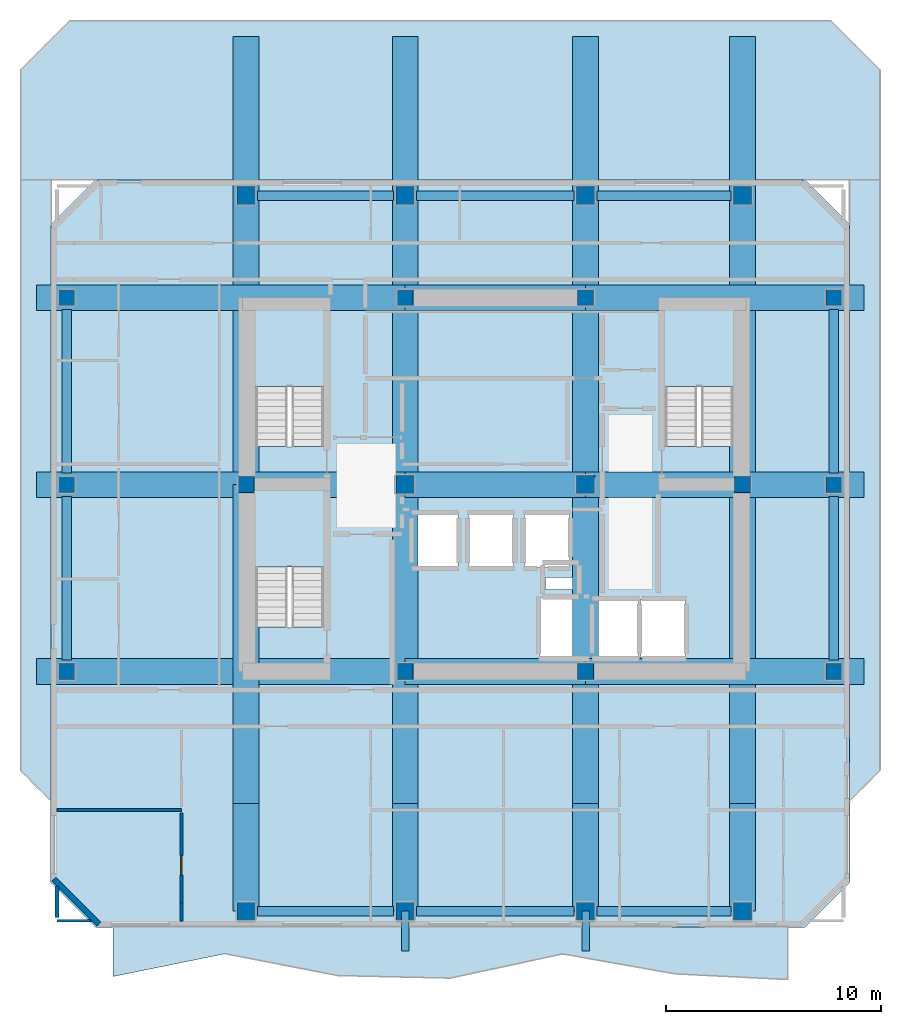
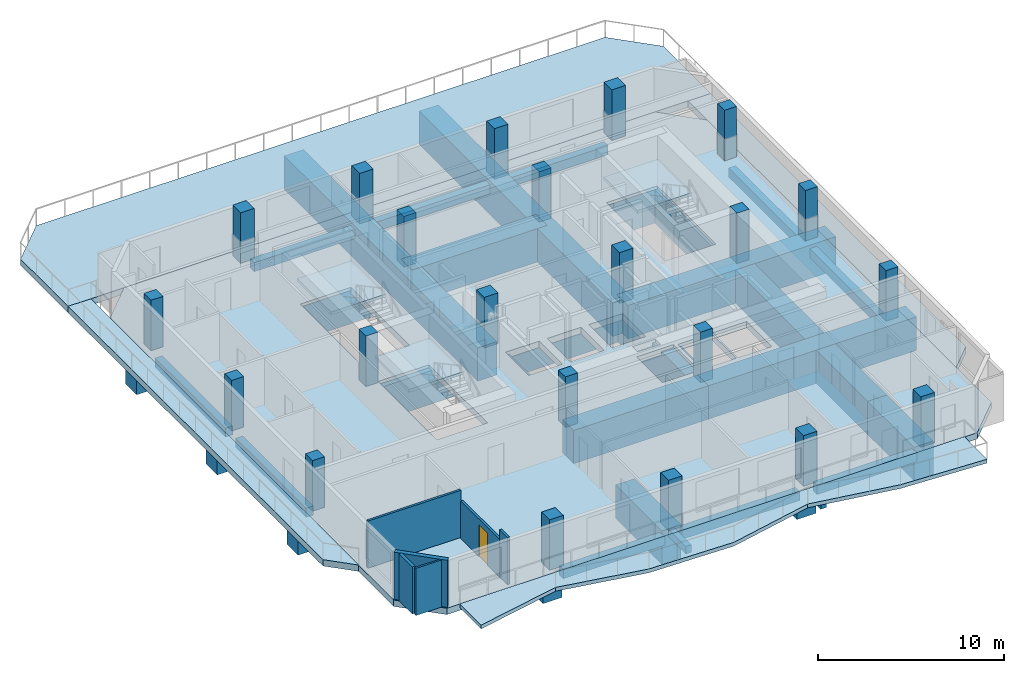
# One storey, part 1 of 10: 33 beams, 22 columns, 8 slabs, 6 walls, 1 door, 1 opening, 3 elements without a shape of their own.
"""IFC4 building model written with IfcOpenShell, lengths in metres."""

from ifc_helpers import new_model, si_unit, direction, frame, frame_2d, origin, origin_2d, place, context, subcontext, project, spatial, polyline, rectangle, outline, extrude, material, layer, layer_set, material_profile, profile_set, type_object, element, fill, aggregate, save


model = new_model("IFC4")

# Units and contexts
model_context = context("Model", 3, precision=1e-05, world=origin(), true_north=direction((0.0, 1.0)))
body_context = subcontext(model_context, "Body", "Model", "MODEL_VIEW")
ifc_project = project(units=[si_unit("LENGTHUNIT", "METRE"), si_unit("AREAUNIT", "SQUARE_METRE"), si_unit("VOLUMEUNIT", "CUBIC_METRE"), si_unit("PLANEANGLEUNIT", "RADIAN"), si_unit("MASSUNIT", "GRAM", prefix="KILO")], contexts=[model_context])

# Site, building, storey
site_placement = place(None, origin())
site = spatial("IfcSite", under=ifc_project, at=site_placement, CompositionType="ELEMENT")
building_placement = place(site_placement, origin())
building = spatial("IfcBuilding", under=site, at=building_placement, Name="Solanera Arch Residences", CompositionType="ELEMENT")
storey_placement = place(building_placement, frame((0.0, 0.0, 190.159912109375)))
storey = spatial("IfcBuildingStorey", under=building, at=storey_placement, Name="L55", CompositionType="ELEMENT", Elevation=190.159912109375)

# Columns
ifc_material_1 = material(Name="Concrete C40/50 (f'c = 45 MPa)", Category="concrete")
ifc_material_profile_1 = material_profile(ifc_material_1, rectangle(XDim=0.75, YDim=0.75, at=origin_2d()))
ifc_profile_set_1 = profile_set([ifc_material_profile_1], Name="Concrete C40/50 (f'c = 45 MPa)")
column_type_1 = type_object("IfcColumnType", Name="Structural Column RC-COL-750X750", PredefinedType="COLUMN", material=ifc_profile_set_1)
for number, where, z_axis, x_axis, name in (
    (1, (20.800048828125, 22.0, 0.0), (0.0, 0.0, 1.0), (1.0, 0.0, 0.0), "COL-L55-CB-SW"),
    (2, (29.199951171875, 22.0, 0.0), (0.0, 0.0, 1.0), (1.0, 0.0, 0.0), "COL-L55-CB-SE"),
    (3, (20.800048828125, 39.39990234375, 0.0), (0.0, 0.0, 1.0), (1.0, 0.0, 0.0), "COL-L55-CB-NW"),
    (4, (29.199951171875, 39.39990234375, 0.0), (0.0, 0.0, 1.0), (1.0, 0.0, 0.0), "COL-L55-CB-NE"),
    (5, (13.39990234375, 30.699951171875, 0.0), (0.0, 0.0, 1.0), (1.0, 0.0, 0.0), "COL-L55-CB-WW"),
    (6, (36.5, 30.699951171875, 0.0), (0.0, 0.0, 1.0), (1.0, 0.0, 0.0), "COL-L55-CB-EE"),
):
    element("IfcColumn", number, at=place(storey_placement, frame(where, z_axis=z_axis, x_axis=x_axis)), inside=storey, type_object=column_type_1, Name=name, PredefinedType="COLUMN", context=body_context, shape_type="SweptSolid", body=[
        extrude(rectangle(XDim=0.75, YDim=0.75, at=origin_2d()), origin(), (0.0, 0.0, 1.0), 3.320068359375),
    ])
for number, where, z_axis, x_axis, name in (
    (7, (5.050048828125, 22.0, -0.199951171875), (0.0, 0.0, 1.0), (1.0, 0.0, 0.0), "COL-L55-TWR-09"),
    (8, (40.75, 22.0, -0.199951171875), (0.0, 0.0, 1.0), (1.0, 0.0, 0.0), "COL-L55-TWR-10"),
    (9, (5.050048828125, 30.699951171875, -0.199951171875), (0.0, 0.0, 1.0), (1.0, 0.0, 0.0), "COL-L55-TWR-11"),
    (10, (40.75, 30.699951171875, -0.199951171875), (0.0, 0.0, 1.0), (1.0, 0.0, 0.0), "COL-L55-TWR-12"),
    (11, (5.050048828125, 39.39990234375, -0.199951171875), (0.0, 0.0, 1.0), (1.0, 0.0, 0.0), "COL-L55-TWR-13"),
    (12, (40.75, 39.39990234375, -0.199951171875), (0.0, 0.0, 1.0), (1.0, 0.0, 0.0), "COL-L55-TWR-14"),
):
    element("IfcColumn", number, at=place(storey_placement, frame(where, z_axis=z_axis, x_axis=x_axis)), inside=storey, type_object=column_type_1, Name=name, PredefinedType="COLUMN", context=body_context, shape_type="SweptSolid", body=[
        extrude(rectangle(XDim=0.75, YDim=0.75, at=origin_2d()), origin(), (0.0, 0.0, 1.0), 3.52001953125),
    ])
ifc_material_2 = material(Name="Concrete C40/50 (f'c = 45 MPa)", Category="concrete")
ifc_material_profile_2 = material_profile(ifc_material_2, rectangle(XDim=0.85009765625, YDim=0.85009765625, at=origin_2d()))
ifc_profile_set_2 = profile_set([ifc_material_profile_2], Name="Concrete C40/50 (f'c = 45 MPa)")
column_type_2 = type_object("IfcColumnType", Name="Structural Column RC-COL-850X850", PredefinedType="COLUMN", material=ifc_profile_set_2)
for number, where, z_axis, x_axis, name in (
    (13, (20.800048828125, 30.699951171875, 0.0), (0.0, 0.0, 1.0), (1.0, 0.0, 0.0), "COL-L55-CORE-W"),
    (14, (29.199951171875, 30.699951171875, 0.0), (0.0, 0.0, 1.0), (1.0, 0.0, 0.0), "COL-L55-CORE-E"),
):
    element("IfcColumn", number, at=place(storey_placement, frame(where, z_axis=z_axis, x_axis=x_axis)), inside=storey, type_object=column_type_2, Name=name, PredefinedType="COLUMN", context=body_context, shape_type="SweptSolid", body=[
        extrude(rectangle(XDim=0.85009765625, YDim=0.85009765625, at=origin_2d()), origin(), (0.0, 0.0, 1.0), 3.320068359375),
    ])
for number, where, z_axis, x_axis, name in (
    (15, (13.39990234375, 10.85009765625, -0.199951171875), (0.0, 0.0, 1.0), (1.0, 0.0, 0.0), "COL-L55-TWR-01"),
    (16, (13.39990234375, 44.14990234375, -0.199951171875), (0.0, 0.0, 1.0), (1.0, 0.0, 0.0), "COL-L55-TWR-02"),
    (17, (20.800048828125, 10.85009765625, -0.199951171875), (0.0, 0.0, 1.0), (1.0, 0.0, 0.0), "COL-L55-TWR-03"),
    (18, (20.800048828125, 44.14990234375, -0.199951171875), (0.0, 0.0, 1.0), (1.0, 0.0, 0.0), "COL-L55-TWR-04"),
    (19, (29.199951171875, 10.85009765625, -0.199951171875), (0.0, 0.0, 1.0), (1.0, 0.0, 0.0), "COL-L55-TWR-05"),
    (20, (29.199951171875, 44.14990234375, -0.199951171875), (0.0, 0.0, 1.0), (1.0, 0.0, 0.0), "COL-L55-TWR-06"),
    (21, (36.5, 10.85009765625, -0.199951171875), (0.0, 0.0, 1.0), (1.0, 0.0, 0.0), "COL-L55-TWR-07"),
    (22, (36.5, 44.14990234375, -0.199951171875), (0.0, 0.0, 1.0), (1.0, 0.0, 0.0), "COL-L55-TWR-08"),
):
    element("IfcColumn", number, at=place(storey_placement, frame(where, z_axis=z_axis, x_axis=x_axis)), inside=storey, type_object=column_type_2, Name=name, PredefinedType="COLUMN", context=body_context, shape_type="SweptSolid", body=[
        extrude(rectangle(XDim=0.85009765625, YDim=0.85009765625, at=origin_2d()), origin(), (0.0, 0.0, 1.0), 3.52001953125),
    ])

# Beams
ifc_material_3 = material(Name="Concrete C40/50 (f'c = 45 MPa)", Category="concrete")
ifc_material_profile_3 = material_profile(ifc_material_3, rectangle(XDim=0.35009765625, YDim=0.5, at=origin_2d()))
ifc_profile_set_3 = profile_set([ifc_material_profile_3], Name="Concrete C40/50 (f'c = 45 MPa)")
beam_type_1 = type_object("IfcBeamType", Name="BM-BALC-RIB", PredefinedType="BEAM", material=ifc_profile_set_3)
for number, where, z_axis, x_axis, name in (
    (23, (20.800048828125, 9.0, -0.5), (0.0, 1.0, 0.0), (-1.0, 0.0, 0.0), "BM-L55-BRIB-S1"),
    (24, (29.199951171875, 9.0, -0.5), (0.0, 1.0, 0.0), (-1.0, 0.0, 0.0), "BM-L55-BRIB-S2"),
):
    element("IfcBeam", number, at=place(storey_placement, frame(where, z_axis=z_axis, x_axis=x_axis)), inside=storey, type_object=beam_type_1, Name=name, PredefinedType="BEAM", context=body_context, shape_type="SweptSolid", body=[
        extrude(rectangle(XDim=0.35009765625, YDim=0.5, at=origin_2d()), origin(), (0.0, 0.0, 1.0), 1.85009765625),
    ])
ifc_material_4 = material(Name="Concrete C55/67 (f'c = 60 MPa)", Category="concrete")
ifc_material_profile_4 = material_profile(ifc_material_4, rectangle(XDim=1.199951171875, YDim=2.199951171875, at=origin_2d()))
ifc_profile_set_4 = profile_set([ifc_material_profile_4], Name="Concrete C55/67 (f'c = 60 MPa)")
beam_type_2 = type_object("IfcBeamType", Name="BM-CANT-BLOCK", PredefinedType="BEAM", material=ifc_profile_set_4)
for number, where, z_axis, x_axis, name in (
    (25, (13.39990234375, 10.85009765625, -1.2998046875), (0.0, 1.0, 0.0), (-1.0, 0.0, 0.0), "BM-L55-CANT-NS-S-134"),
    (26, (20.800048828125, 10.85009765625, -1.2998046875), (0.0, 1.0, 0.0), (-1.0, 0.0, 0.0), "BM-L55-CANT-NS-S-208"),
    (27, (29.199951171875, 10.85009765625, -1.2998046875), (0.0, 1.0, 0.0), (-1.0, 0.0, 0.0), "BM-L55-CANT-NS-S-292"),
    (28, (36.5, 10.85009765625, -1.2998046875), (0.0, 1.0, 0.0), (-1.0, 0.0, 0.0), "BM-L55-CANT-NS-S-365"),
):
    element("IfcBeam", number, at=place(storey_placement, frame(where, z_axis=z_axis, x_axis=x_axis)), inside=storey, type_object=beam_type_2, Name=name, PredefinedType="BEAM", context=body_context, shape_type="SweptSolid", body=[
        extrude(rectangle(XDim=1.199951171875, YDim=2.199951171875, at=origin_2d()), origin(), (0.0, 0.0, 1.0), 5.0),
    ])
ifc_material_5 = material(Name="Concrete C40/50 (f'c = 45 MPa)", Category="concrete")
ifc_material_profile_5 = material_profile(ifc_material_5, rectangle(XDim=0.449951171875, YDim=0.60009765625, at=origin_2d()))
ifc_profile_set_5 = profile_set([ifc_material_profile_5], Name="Concrete C40/50 (f'c = 45 MPa)")
beam_type_3 = type_object("IfcBeamType", Name="Spandrel Beam RC-BM-450X600", PredefinedType="SPANDREL", material=ifc_profile_set_5)
for number, where, z_axis, x_axis, name in (
    (29, (13.93994140625, 10.85009765625, -0.719970703125), (1.0, 0.0, 0.0), (0.0, 1.0, 0.0), "BM-L55-XRING-S-1"),
    (30, (13.93994140625, 44.14990234375, -0.719970703125), (1.0, 0.0, 0.0), (0.0, 1.0, 0.0), "BM-L55-XRING-N-1"),
):
    element("IfcBeam", number, at=place(storey_placement, frame(where, z_axis=z_axis, x_axis=x_axis)), inside=storey, type_object=beam_type_3, Name=name, PredefinedType="SPANDREL", context=body_context, shape_type="SweptSolid", body=[
        extrude(rectangle(XDim=0.449951171875, YDim=0.60009765625, at=origin_2d()), origin(), (0.0, 0.0, 1.0), 6.320068359375),
    ])
for number, where, z_axis, x_axis, name in (
    (31, (21.340087890625, 10.85009765625, -0.719970703125), (1.0, 0.0, 0.0), (0.0, 1.0, 0.0), "BM-L55-XRING-S-2"),
    (32, (21.340087890625, 44.14990234375, -0.719970703125), (1.0, 0.0, 0.0), (0.0, 1.0, 0.0), "BM-L55-XRING-N-2"),
):
    element("IfcBeam", number, at=place(storey_placement, frame(where, z_axis=z_axis, x_axis=x_axis)), inside=storey, type_object=beam_type_3, Name=name, PredefinedType="SPANDREL", context=body_context, shape_type="SweptSolid", body=[
        extrude(rectangle(XDim=0.449951171875, YDim=0.60009765625, at=origin_2d()), origin(), (0.0, 0.0, 1.0), 7.31982421875),
    ])
for number, where, z_axis, x_axis, name in (
    (33, (29.739990234375, 10.85009765625, -0.719970703125), (1.0, 0.0, 0.0), (0.0, 1.0, 0.0), "BM-L55-XRING-S-3"),
    (34, (29.739990234375, 44.14990234375, -0.719970703125), (1.0, 0.0, 0.0), (0.0, 1.0, 0.0), "BM-L55-XRING-N-3"),
):
    element("IfcBeam", number, at=place(storey_placement, frame(where, z_axis=z_axis, x_axis=x_axis)), inside=storey, type_object=beam_type_3, Name=name, PredefinedType="SPANDREL", context=body_context, shape_type="SweptSolid", body=[
        extrude(rectangle(XDim=0.449951171875, YDim=0.60009765625, at=origin_2d()), origin(), (0.0, 0.0, 1.0), 6.219970703125),
    ])
for number, where, z_axis, x_axis, name in (
    (35, (5.050048828125, 22.5400390625, -0.719970703125), (0.0, 1.0, 0.0), (-1.0, 0.0, 0.0), "BM-L55-XRING-W-1"),
    (36, (40.75, 22.5400390625, -0.719970703125), (0.0, 1.0, 0.0), (-1.0, 0.0, 0.0), "BM-L55-XRING-E-1"),
):
    element("IfcBeam", number, at=place(storey_placement, frame(where, z_axis=z_axis, x_axis=x_axis)), inside=storey, type_object=beam_type_3, Name=name, PredefinedType="SPANDREL", context=body_context, shape_type="SweptSolid", body=[
        extrude(rectangle(XDim=0.449951171875, YDim=0.60009765625, at=origin_2d()), origin(), (0.0, 0.0, 1.0), 7.619873046875),
    ])
for number, where, z_axis, x_axis, name in (
    (37, (5.050048828125, 31.239990234375, -0.719970703125), (0.0, 1.0, 0.0), (-1.0, 0.0, 0.0), "BM-L55-XRING-W-2"),
    (38, (40.75, 31.239990234375, -0.719970703125), (0.0, 1.0, 0.0), (-1.0, 0.0, 0.0), "BM-L55-XRING-E-2"),
):
    element("IfcBeam", number, at=place(storey_placement, frame(where, z_axis=z_axis, x_axis=x_axis)), inside=storey, type_object=beam_type_3, Name=name, PredefinedType="SPANDREL", context=body_context, shape_type="SweptSolid", body=[
        extrude(rectangle(XDim=0.449951171875, YDim=0.60009765625, at=origin_2d()), origin(), (0.0, 0.0, 1.0), 7.6201171875),
    ])
ifc_material_6 = material(Name="Concrete C55/67 (f'c = 60 MPa)", Category="concrete")
ifc_material_profile_6 = material_profile(ifc_material_6, rectangle(XDim=1.199951171875, YDim=2.199951171875, at=origin_2d()))
ifc_profile_set_6 = profile_set([ifc_material_profile_6], Name="Concrete C55/67 (f'c = 60 MPa)")
beam_type_4 = type_object("IfcBeamType", Name="Transfer Girder RC-BM-1200X2200", PredefinedType="BEAM", material=ifc_profile_set_6)
beam_1_placement = place(storey_placement, frame((13.39990234375, 15.85009765625, -1.2998046875), z_axis=(0.0, 1.0, 0.0), x_axis=(-1.0, 0.0, 0.0)))
element("IfcBeam", 39, at=beam_1_placement, inside=storey, type_object=beam_type_4, Name="BM-L55-XFER-NS-S-134", PredefinedType="BEAM", context=body_context, shape_type="SweptSolid", body=[
    extrude(rectangle(XDim=1.199951171875, YDim=2.199951171875, at=origin_2d()), origin(), (0.0, 0.0, 1.0), 14.849853515625),
])
beam_2_placement = place(storey_placement, frame((13.39990234375, 30.699951171875, -1.2998046875), z_axis=(0.0, 1.0, 0.0), x_axis=(-1.0, 0.0, 0.0)))
element("IfcBeam", 40, at=beam_2_placement, inside=storey, type_object=beam_type_4, Name="BM-L55-XFER-NS-N-134", PredefinedType="BEAM", context=body_context, shape_type="SweptSolid", body=[
    extrude(rectangle(XDim=1.199951171875, YDim=2.199951171875, at=origin_2d()), origin(), (0.0, 0.0, 1.0), 20.85009765625),
])
beam_3_placement = place(storey_placement, frame((20.800048828125, 15.85009765625, -1.2998046875), z_axis=(0.0, 1.0, 0.0), x_axis=(-1.0, 0.0, 0.0)))
element("IfcBeam", 41, at=beam_3_placement, inside=storey, type_object=beam_type_4, Name="BM-L55-XFER-NS-S-208", PredefinedType="BEAM", context=body_context, shape_type="SweptSolid", body=[
    extrude(rectangle(XDim=1.199951171875, YDim=2.199951171875, at=origin_2d()), origin(), (0.0, 0.0, 1.0), 14.849853515625),
])
beam_4_placement = place(storey_placement, frame((20.800048828125, 30.699951171875, -1.2998046875), z_axis=(0.0, 1.0, 0.0), x_axis=(-1.0, 0.0, 0.0)))
element("IfcBeam", 42, at=beam_4_placement, inside=storey, type_object=beam_type_4, Name="BM-L55-XFER-NS-N-208", PredefinedType="BEAM", context=body_context, shape_type="SweptSolid", body=[
    extrude(rectangle(XDim=1.199951171875, YDim=2.199951171875, at=origin_2d()), origin(), (0.0, 0.0, 1.0), 20.85009765625),
])
beam_5_placement = place(storey_placement, frame((29.199951171875, 15.85009765625, -1.2998046875), z_axis=(0.0, 1.0, 0.0), x_axis=(-1.0, 0.0, 0.0)))
element("IfcBeam", 43, at=beam_5_placement, inside=storey, type_object=beam_type_4, Name="BM-L55-XFER-NS-S-292", PredefinedType="BEAM", context=body_context, shape_type="SweptSolid", body=[
    extrude(rectangle(XDim=1.199951171875, YDim=2.199951171875, at=origin_2d()), origin(), (0.0, 0.0, 1.0), 14.849853515625),
])
beam_6_placement = place(storey_placement, frame((29.199951171875, 30.699951171875, -1.2998046875), z_axis=(0.0, 1.0, 0.0), x_axis=(-1.0, 0.0, 0.0)))
element("IfcBeam", 44, at=beam_6_placement, inside=storey, type_object=beam_type_4, Name="BM-L55-XFER-NS-N-292", PredefinedType="BEAM", context=body_context, shape_type="SweptSolid", body=[
    extrude(rectangle(XDim=1.199951171875, YDim=2.199951171875, at=origin_2d()), origin(), (0.0, 0.0, 1.0), 20.85009765625),
])
beam_7_placement = place(storey_placement, frame((36.5, 15.85009765625, -1.2998046875), z_axis=(0.0, 1.0, 0.0), x_axis=(-1.0, 0.0, 0.0)))
element("IfcBeam", 45, at=beam_7_placement, inside=storey, type_object=beam_type_4, Name="BM-L55-XFER-NS-S-365", PredefinedType="BEAM", context=body_context, shape_type="SweptSolid", body=[
    extrude(rectangle(XDim=1.199951171875, YDim=2.199951171875, at=origin_2d()), origin(), (0.0, 0.0, 1.0), 14.849853515625),
])
beam_8_placement = place(storey_placement, frame((36.5, 30.699951171875, -1.2998046875), z_axis=(0.0, 1.0, 0.0), x_axis=(-1.0, 0.0, 0.0)))
element("IfcBeam", 46, at=beam_8_placement, inside=storey, type_object=beam_type_4, Name="BM-L55-XFER-NS-N-365", PredefinedType="BEAM", context=body_context, shape_type="SweptSolid", body=[
    extrude(rectangle(XDim=1.199951171875, YDim=2.199951171875, at=origin_2d()), origin(), (0.0, 0.0, 1.0), 20.85009765625),
])
beam_9_placement = place(storey_placement, frame((3.64990234375, 22.0, -1.2998046875), z_axis=(1.0, 0.0, 0.0), x_axis=(0.0, 1.0, 0.0)))
element("IfcBeam", 47, at=beam_9_placement, inside=storey, type_object=beam_type_4, Name="BM-L55-XFER-EW-W-220", PredefinedType="BEAM", context=body_context, shape_type="SweptSolid", body=[
    extrude(rectangle(XDim=1.199951171875, YDim=2.199951171875, at=origin_2d()), origin(), (0.0, 0.0, 1.0), 17.150146484375),
])
beam_10_placement = place(storey_placement, frame((20.800048828125, 22.0, -1.2998046875), z_axis=(1.0, 0.0, 0.0), x_axis=(0.0, 1.0, 0.0)))
element("IfcBeam", 48, at=beam_10_placement, inside=storey, type_object=beam_type_4, Name="BM-L55-XFER-EW-C-220", PredefinedType="BEAM", context=body_context, shape_type="SweptSolid", body=[
    extrude(rectangle(XDim=1.199951171875, YDim=2.199951171875, at=origin_2d()), origin(), (0.0, 0.0, 1.0), 8.39990234375),
])
beam_11_placement = place(storey_placement, frame((29.199951171875, 22.0, -1.2998046875), z_axis=(1.0, 0.0, 0.0), x_axis=(0.0, 1.0, 0.0)))
element("IfcBeam", 49, at=beam_11_placement, inside=storey, type_object=beam_type_4, Name="BM-L55-XFER-EW-E-220", PredefinedType="BEAM", context=body_context, shape_type="SweptSolid", body=[
    extrude(rectangle(XDim=1.199951171875, YDim=2.199951171875, at=origin_2d()), origin(), (0.0, 0.0, 1.0), 12.949951171875),
])
beam_12_placement = place(storey_placement, frame((3.64990234375, 30.699951171875, -1.2998046875), z_axis=(1.0, 0.0, 0.0), x_axis=(0.0, 1.0, 0.0)))
element("IfcBeam", 50, at=beam_12_placement, inside=storey, type_object=beam_type_4, Name="BM-L55-XFER-EW-W-307", PredefinedType="BEAM", context=body_context, shape_type="SweptSolid", body=[
    extrude(rectangle(XDim=1.199951171875, YDim=2.199951171875, at=origin_2d()), origin(), (0.0, 0.0, 1.0), 17.150146484375),
])
beam_13_placement = place(storey_placement, frame((20.800048828125, 30.699951171875, -1.2998046875), z_axis=(1.0, 0.0, 0.0), x_axis=(0.0, 1.0, 0.0)))
element("IfcBeam", 51, at=beam_13_placement, inside=storey, type_object=beam_type_4, Name="BM-L55-XFER-EW-C-307", PredefinedType="BEAM", context=body_context, shape_type="SweptSolid", body=[
    extrude(rectangle(XDim=1.199951171875, YDim=2.199951171875, at=origin_2d()), origin(), (0.0, 0.0, 1.0), 8.39990234375),
])
beam_14_placement = place(storey_placement, frame((29.199951171875, 30.699951171875, -1.2998046875), z_axis=(1.0, 0.0, 0.0), x_axis=(0.0, 1.0, 0.0)))
element("IfcBeam", 52, at=beam_14_placement, inside=storey, type_object=beam_type_4, Name="BM-L55-XFER-EW-E-307", PredefinedType="BEAM", context=body_context, shape_type="SweptSolid", body=[
    extrude(rectangle(XDim=1.199951171875, YDim=2.199951171875, at=origin_2d()), origin(), (0.0, 0.0, 1.0), 12.949951171875),
])
beam_15_placement = place(storey_placement, frame((3.64990234375, 39.39990234375, -1.2998046875), z_axis=(1.0, 0.0, 0.0), x_axis=(0.0, 1.0, 0.0)))
element("IfcBeam", 53, at=beam_15_placement, inside=storey, type_object=beam_type_4, Name="BM-L55-XFER-EW-W-394", PredefinedType="BEAM", context=body_context, shape_type="SweptSolid", body=[
    extrude(rectangle(XDim=1.199951171875, YDim=2.199951171875, at=origin_2d()), origin(), (0.0, 0.0, 1.0), 17.150146484375),
])
beam_16_placement = place(storey_placement, frame((20.800048828125, 39.39990234375, -1.2998046875), z_axis=(1.0, 0.0, 0.0), x_axis=(0.0, 1.0, 0.0)))
element("IfcBeam", 54, at=beam_16_placement, inside=storey, type_object=beam_type_4, Name="BM-L55-XFER-EW-C-394", PredefinedType="BEAM", context=body_context, shape_type="SweptSolid", body=[
    extrude(rectangle(XDim=1.199951171875, YDim=2.199951171875, at=origin_2d()), origin(), (0.0, 0.0, 1.0), 8.39990234375),
])
beam_17_placement = place(storey_placement, frame((29.199951171875, 39.39990234375, -1.2998046875), z_axis=(1.0, 0.0, 0.0), x_axis=(0.0, 1.0, 0.0)))
element("IfcBeam", 55, at=beam_17_placement, inside=storey, type_object=beam_type_4, Name="BM-L55-XFER-EW-E-394", PredefinedType="BEAM", context=body_context, shape_type="SweptSolid", body=[
    extrude(rectangle(XDim=1.199951171875, YDim=2.199951171875, at=origin_2d()), origin(), (0.0, 0.0, 1.0), 12.949951171875),
])

# Slab
ifc_material_7 = material(Name="Concrete C40/50 (f'c = 45 MPa)", Category="concrete")
ifc_layer_1 = layer(ifc_material_7, 0.25)
ifc_layer_set_1 = layer_set([ifc_layer_1], Name="Concrete C40/50 (f'c = 45 MPa)")
slab_type_1 = type_object("IfcSlabType", Name="Balcony Slab 250", PredefinedType="FLOOR", material=ifc_layer_set_1)
slab_1_placement = place(storey_placement, frame((0.0, 0.0, -0.25)))
element("IfcSlab", 56, at=slab_1_placement, inside=storey, type_object=slab_type_1, Name="L55 S Rippling Brise-Soleil Balcony Slab", PredefinedType="FLOOR", context=body_context, shape_type="SweptSolid", body=[
    extrude(outline(polyline([(7.199951171875, 7.804931640625), (12.43310546875, 8.868896484375), (17.6669921875, 7.85400390625), (22.89990234375, 7.735107421875), (28.133056640625, 8.861083984375), (33.366943359375, 7.931884765625), (38.60009765625, 7.6708984375), (38.60009765625, 10.1201171875), (7.199951171875, 10.1201171875), (7.199951171875, 7.804931640625)])), origin(), (0.0, 0.0, 1.0), 0.25),
])

# Stair, slab
ifc_material_8 = material(Name="Concrete C40/50 (f'c = 45 MPa)", Category="concrete")
stair_type = type_object("IfcStairType", Name="Tower Dogleg Exit Stair 1480", PredefinedType="HALF_TURN_STAIR", material=ifc_material_8)
stair_1_placement = place(storey_placement, origin())
stair_1 = element("IfcStair", 57, at=stair_1_placement, inside=storey, type_object=stair_type, Name="L55 Tower Core Exit Stair 1", PredefinedType="HALF_TURN_STAIR")
ifc_material_9 = material(Name="Concrete C40/50 (f'c = 45 MPa)", Category="concrete")
ifc_layer_2 = layer(ifc_material_9, 0.199951171875)
ifc_layer_set_2 = layer_set([ifc_layer_2], Name="Concrete C40/50 (f'c = 45 MPa)")
slab_type_2 = type_object("IfcSlabType", Name="Stair Half-Landing Slab 200", PredefinedType="LANDING", material=ifc_layer_set_2)
slab_2_placement = place(storey_placement, frame((0.0, 0.0, 1.460205078125)))
slab_2 = element("IfcSlab", 58, at=slab_2_placement, type_object=slab_type_2, Name="ST-T1 landing 1", PredefinedType="LANDING", context=body_context, shape_type="SweptSolid", body=[
    extrude(outline(polyline([(17.1201171875, 35.260009765625), (17.1201171875, 38.919921875), (13.719970703125, 38.919921875), (13.719970703125, 35.260009765625), (17.1201171875, 35.260009765625)])), origin(), (0.0, 0.0, 1.0), 0.199951171875),
])
aggregate(stair_1, [slab_2])

stair_2_placement = place(storey_placement, origin())
stair_2 = element("IfcStair", 59, at=stair_2_placement, inside=storey, type_object=stair_type, Name="L55 Tower Core Exit Stair 2", PredefinedType="HALF_TURN_STAIR")
slab_3_placement = place(storey_placement, frame((0.0, 0.0, 1.460205078125)))
slab_3 = element("IfcSlab", 60, at=slab_3_placement, type_object=slab_type_2, Name="ST-T2 landing 1", PredefinedType="LANDING", context=body_context, shape_type="SweptSolid", body=[
    extrude(outline(polyline([(36.179931640625, 35.260009765625), (36.179931640625, 38.919921875), (32.780029296875, 38.919921875), (32.780029296875, 35.260009765625), (36.179931640625, 35.260009765625)])), origin(), (0.0, 0.0, 1.0), 0.199951171875),
])
aggregate(stair_2, [slab_3])

stair_3_placement = place(storey_placement, origin())
stair_3 = element("IfcStair", 61, at=stair_3_placement, inside=storey, type_object=stair_type, Name="L55 Tower Core Exit Stair 3", PredefinedType="HALF_TURN_STAIR")
slab_4_placement = place(storey_placement, frame((0.0, 0.0, 1.460205078125)))
slab_4 = element("IfcSlab", 62, at=slab_4_placement, type_object=slab_type_2, Name="ST-T3 landing 1", PredefinedType="LANDING", context=body_context, shape_type="SweptSolid", body=[
    extrude(outline(polyline([(17.1201171875, 26.860107421875), (17.1201171875, 30.52001953125), (13.719970703125, 30.52001953125), (13.719970703125, 26.860107421875), (17.1201171875, 26.860107421875)])), origin(), (0.0, 0.0, 1.0), 0.199951171875),
])
aggregate(stair_3, [slab_4])

# Slabs
ifc_material_10 = material(Name="Concrete C40/50 (f'c = 45 MPa)", Category="concrete")
ifc_layer_3 = layer(ifc_material_10, 0.419921875)
ifc_layer_set_3 = layer_set([ifc_layer_3], Name="Concrete C40/50 (f'c = 45 MPa)")
slab_type_3 = type_object("IfcSlabType", Name="Suspended Floor Slab Post-Tensioned 420", PredefinedType="FLOOR", material=ifc_layer_set_3)
slab_5_placement = place(storey_placement, frame((0.0, 0.0, -0.419921875)))
element("IfcSlab", 63, at=slab_5_placement, inside=storey, type_object=slab_type_3, Name="L55 Tower Post-Tensioned Floor Slab", PredefinedType="FLOOR", context=body_context, shape_type="SweptSolid", body=[
    extrude(outline(polyline([(6.39990234375, 10.10009765625), (39.39990234375, 10.10009765625), (41.5, 12.199951171875), (41.5, 42.800048828125), (39.39990234375, 44.89990234375), (6.39990234375, 44.89990234375), (4.300048828125, 42.800048828125), (4.300048828125, 12.199951171875), (6.39990234375, 10.10009765625)]), holes=[polyline([(13.840087890625, 32.48291015625), (13.840087890625, 38.800048828125), (17.0, 38.800048828125), (17.0, 32.48291015625), (13.840087890625, 32.48291015625)]), polyline([(32.89990234375, 32.48291015625), (32.89990234375, 38.800048828125), (36.06005859375, 38.800048828125), (36.06005859375, 32.48291015625), (32.89990234375, 32.48291015625)]), polyline([(13.840087890625, 24.0830078125), (13.840087890625, 30.39990234375), (17.0, 30.39990234375), (17.0, 24.0830078125), (13.840087890625, 24.0830078125)]), polyline([(21.14990234375, 29.35009765625), (23.25, 29.35009765625), (23.25, 26.85009765625), (21.14990234375, 26.85009765625), (21.14990234375, 29.35009765625)]), polyline([(23.75, 29.35009765625), (25.85009765625, 29.35009765625), (25.85009765625, 26.85009765625), (23.75, 26.85009765625), (23.75, 29.35009765625)]), polyline([(26.35009765625, 29.35009765625), (28.449951171875, 29.35009765625), (28.449951171875, 26.85009765625), (26.35009765625, 26.85009765625), (26.35009765625, 29.35009765625)]), polyline([(29.550048828125, 25.35009765625), (31.64990234375, 25.35009765625), (31.64990234375, 22.64990234375), (29.550048828125, 22.64990234375), (29.550048828125, 25.35009765625)]), polyline([(31.75, 25.35009765625), (33.85009765625, 25.35009765625), (33.85009765625, 22.64990234375), (31.75, 22.64990234375), (31.75, 25.35009765625)]), polyline([(27.050048828125, 25.449951171875), (29.35009765625, 25.449951171875), (29.35009765625, 22.64990234375), (27.050048828125, 22.64990234375), (27.050048828125, 25.449951171875)]), polyline([(27.340087890625, 26.3798828125), (28.760009765625, 26.3798828125), (28.760009765625, 25.820068359375), (27.340087890625, 25.820068359375), (27.340087890625, 26.3798828125)])]), origin(), (0.0, 0.0, 1.0), 0.419921875),
])
ifc_material_11 = material(Name="Concrete C40/50 (f'c = 45 MPa)", Category="concrete")
ifc_layer_4 = layer(ifc_material_11, 0.419921875)
ifc_layer_set_4 = layer_set([ifc_layer_4], Name="Concrete C40/50 (f'c = 45 MPa)")
slab_type_4 = type_object("IfcSlabType", Name="Terrace Slab 420", PredefinedType="FLOOR", material=ifc_layer_set_4)
slab_6_placement = place(storey_placement, frame((0.0, 0.0, -0.419921875)))
element("IfcSlab", 64, at=slab_6_placement, inside=storey, type_object=slab_type_4, Name="L55 Planted Sky Terrace Slab 1", PredefinedType="FLOOR", context=body_context, shape_type="SweptSolid", body=[
    extrude(outline(polyline([(2.89990234375, 44.8798828125), (6.407958984375, 44.8798828125), (39.39208984375, 44.8798828125), (42.89990234375, 44.8798828125), (42.89990234375, 50.0), (40.60009765625, 52.300048828125), (5.199951171875, 52.300048828125), (2.89990234375, 50.0), (2.89990234375, 44.8798828125)])), origin(), (0.0, 0.0, 1.0), 0.419921875),
])
slab_7_placement = place(storey_placement, frame((0.0, 0.0, -0.419921875)))
element("IfcSlab", 65, at=slab_7_placement, inside=storey, type_object=slab_type_4, Name="L55 Planted Sky Terrace Slab 2", PredefinedType="FLOOR", context=body_context, shape_type="SweptSolid", body=[
    extrude(outline(polyline([(2.89990234375, 17.39990234375), (4.320068359375, 15.97998046875), (4.320068359375, 42.7919921875), (4.320068359375, 44.8798828125), (2.89990234375, 44.8798828125), (2.89990234375, 17.39990234375)])), origin(), (0.0, 0.0, 1.0), 0.419921875),
])
slab_8_placement = place(storey_placement, frame((0.0, 0.0, -0.419921875)))
element("IfcSlab", 66, at=slab_8_placement, inside=storey, type_object=slab_type_4, Name="L55 Planted Sky Terrace Slab 3", PredefinedType="FLOOR", context=body_context, shape_type="SweptSolid", body=[
    extrude(outline(polyline([(42.89990234375, 44.8798828125), (41.47998046875, 44.8798828125), (41.47998046875, 42.7919921875), (41.47998046875, 15.97998046875), (42.89990234375, 17.39990234375), (42.89990234375, 44.8798828125)])), origin(), (0.0, 0.0, 1.0), 0.419921875),
])

# Walls
ifc_material_12 = material(Name="Autoclaved Aerated Concrete Blockwork", Category="masonry")
ifc_layer_5 = layer(ifc_material_12, 0.179931640625)
ifc_layer_set_5 = layer_set([ifc_layer_5], Name="Autoclaved Aerated Concrete Blockwork")
wall_type_1 = type_object("IfcWallType", Name="Corridor Fire Partition 180", PredefinedType="PARTITIONING", material=ifc_layer_set_5)
wall_1_placement = place(storey_placement, frame((4.60009765625, 10.55810546875, 0.0), z_axis=(0.0, 0.0, 1.0), x_axis=(0.0, 1.0, 0.0)))
element("IfcWall", 67, at=wall_1_placement, inside=storey, type_object=wall_type_1, Name="L55 Interior Partition V7 1", PredefinedType="PARTITIONING", context=body_context, shape_type="SweptSolid", body=[
    extrude(rectangle(XDim=1.430908203125, YDim=0.179931640625, at=frame_2d((0.71533203125, 0.0))), origin(), (0.0, 0.0, 1.0), 3.10009765625),
])
ifc_material_13 = material(Name="Precast Concrete C35/45", Category="concrete")
ifc_layer_6 = layer(ifc_material_13, 0.260009765625)
ifc_layer_set_6 = layer_set([ifc_layer_6], Name="Precast Concrete C35/45")
wall_type_2 = type_object("IfcWallType", Name="Exterior Wall Precast Masonry-Frame 260", PredefinedType="STANDARD", material=ifc_layer_set_6)
wall_2_placement = place(storey_placement, frame((6.544921875, 10.2451171875, 0.0), z_axis=(0.0, 0.0, 1.0), x_axis=(-0.707106781187, 0.707106781187, 0.0)))
element("IfcWall", 68, at=wall_2_placement, inside=storey, type_object=wall_type_2, Name="L55 Tower Exterior Precast Masonry-Frame Wall CH7", PredefinedType="STANDARD", context=body_context, shape_type="SweptSolid", body=[
    extrude(rectangle(XDim=2.9697265625, YDim=0.260009765625, at=frame_2d((1.48486328125, 0.0))), origin(), (0.0, 0.0, 1.0), 3.10009765625),
])
ifc_material_14 = material(Name="Fire-Rated Gypsum Stud Partition", Category="gypsum")
ifc_layer_7 = layer(ifc_material_14, 0.1201171875)
ifc_layer_set_7 = layer_set([ifc_layer_7], Name="Fire-Rated Gypsum Stud Partition")
wall_type_3 = type_object("IfcWallType", Name="Unit Drywall Partition 120", PredefinedType="PARTITIONING", material=ifc_layer_set_7)
wall_3_placement = place(storey_placement, frame((4.60009765625, 10.39990234375, 0.0), z_axis=(0.0, 0.0, 1.0), x_axis=(1.0, 0.0, 0.0)))
element("IfcWall", 69, at=wall_3_placement, inside=storey, type_object=wall_type_3, Name="L55 Interior Partition H20 1", PredefinedType="PARTITIONING", context=body_context, shape_type="SweptSolid", body=[
    extrude(rectangle(XDim=1.5888671875, YDim=0.1201171875, at=frame_2d((0.79443359375, 0.0))), origin(), (0.0, 0.0, 1.0), 3.10009765625),
])
ifc_material_15 = material(Name="Autoclaved Aerated Concrete Blockwork", Category="masonry")
ifc_layer_8 = layer(ifc_material_15, 0.139892578125)
ifc_layer_set_8 = layer_set([ifc_layer_8], Name="Autoclaved Aerated Concrete Blockwork")
wall_type_4 = type_object("IfcWallType", Name="Wet-Room Partition 140", PredefinedType="PARTITIONING", material=ifc_layer_set_8)
wall_4_placement = place(storey_placement, frame((4.5869140625, 15.55908203125, 0.0), z_axis=(0.0, 0.0, 1.0), x_axis=(1.0, 0.0, 0.0)))
element("IfcWall", 70, at=wall_4_placement, inside=storey, type_object=wall_type_4, Name="L55 Interior Partition H14", PredefinedType="PARTITIONING", context=body_context, shape_type="SweptSolid", body=[
    extrude(rectangle(XDim=5.802001953125, YDim=0.139892578125, at=frame_2d((2.90087890625, 0.0))), origin(), (0.0, 0.0, 1.0), 3.10009765625),
])
wall_5_placement = place(storey_placement, frame((10.388916015625, 10.386962890625, 0.0), z_axis=(0.0, 0.0, 1.0), x_axis=(0.0, 1.0, 0.0)))
element("IfcWall", 71, at=wall_5_placement, inside=storey, type_object=wall_type_4, Name="L55 Interior Partition V13 1", PredefinedType="PARTITIONING", context=body_context, shape_type="SweptSolid", body=[
    extrude(rectangle(XDim=0.85107421875, YDim=0.139892578125, at=frame_2d((0.425537109375, 0.0))), origin(), (0.0, 0.0, 1.0), 3.10009765625),
])

# Wall, opening, door
wall_6_placement = place(storey_placement, frame((10.388916015625, 11.238037109375, 0.0), z_axis=(0.0, 0.0, 1.0), x_axis=(0.0, 1.0, 0.0)))
wall_6 = element("IfcWall", 72, at=wall_6_placement, inside=storey, type_object=wall_type_4, Name="L55 Interior Partition V13 2", PredefinedType="PARTITIONING", context=body_context, shape_type="SweptSolid", body=[
    extrude(rectangle(XDim=4.1728515625, YDim=0.139892578125, at=frame_2d((2.08642578125, 0.0))), origin(), (0.0, 0.0, 1.0), 2.47705078125),
])
opening_placement = place(wall_6_placement, frame((1.303955078125, 0.0, 0.0)))
opening = element("IfcOpeningElement", 73, at=opening_placement, cuts=wall_6, Name="Opening DI-03", PredefinedType="OPENING", context=body_context, shape_type="SweptSolid", body=[
    extrude(rectangle(XDim=0.89990234375, YDim=2.10009765625, at=frame_2d((0.449951171875, 1.050048828125))), frame((0.0, 0.079833984375, 0.0), z_axis=(0.0, -1.0, 0.0), x_axis=(1.0, 0.0, 0.0)), (0.0, 0.0, 1.0), 0.1599),
])
ifc_material_16 = material(Name="Fire-Rated Architectural Hardwood", Category="wood")
door_type = type_object("IfcDoorType", Name="Bedroom Swing Door DI-03", OperationType="NOTDEFINED", PredefinedType="DOOR", material=ifc_material_16)
door_placement = place(opening_placement, origin())
door = element("IfcDoor", 74, at=door_placement, inside=storey, type_object=door_type, Name="DR-L55-IN-016", OperationType="SINGLE_SWING_LEFT", OverallHeight=2.10009765625, OverallWidth=0.89990234375, PredefinedType="DOOR", context=body_context, shape_type="SweptSolid", body=[
    extrude(rectangle(XDim=0.89990234375, YDim=2.10009765625, at=frame_2d((0.449951171875, 1.050048828125))), frame((0.0, 0.02490234375, 0.0), z_axis=(0.0, -1.0, 0.0), x_axis=(1.0, 0.0, 0.0)), (0.0, 0.0, 1.0), 0.050048828125),
])
fill(opening, door)

save(model, "model.ifc")
